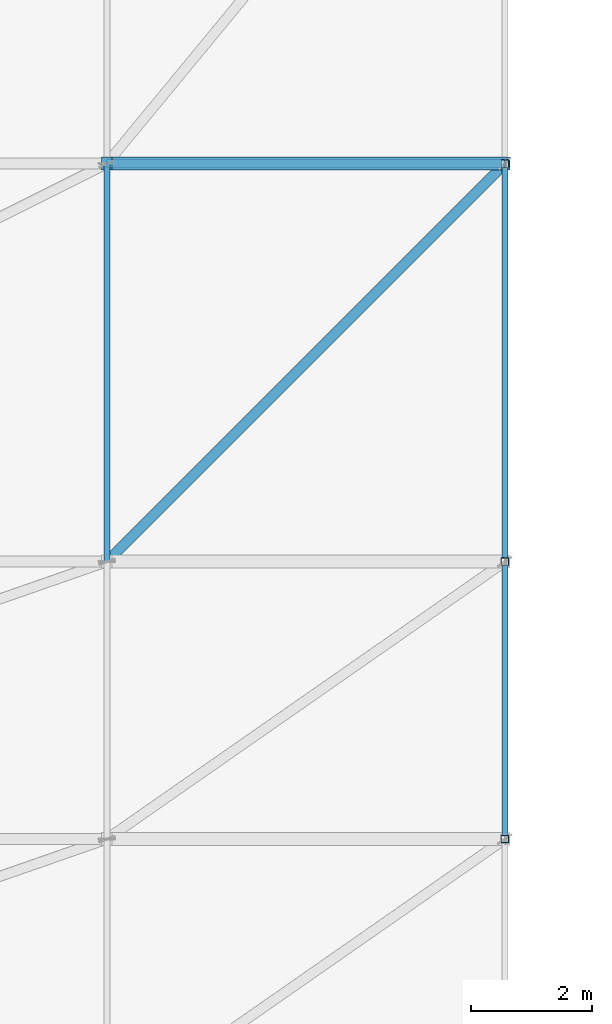
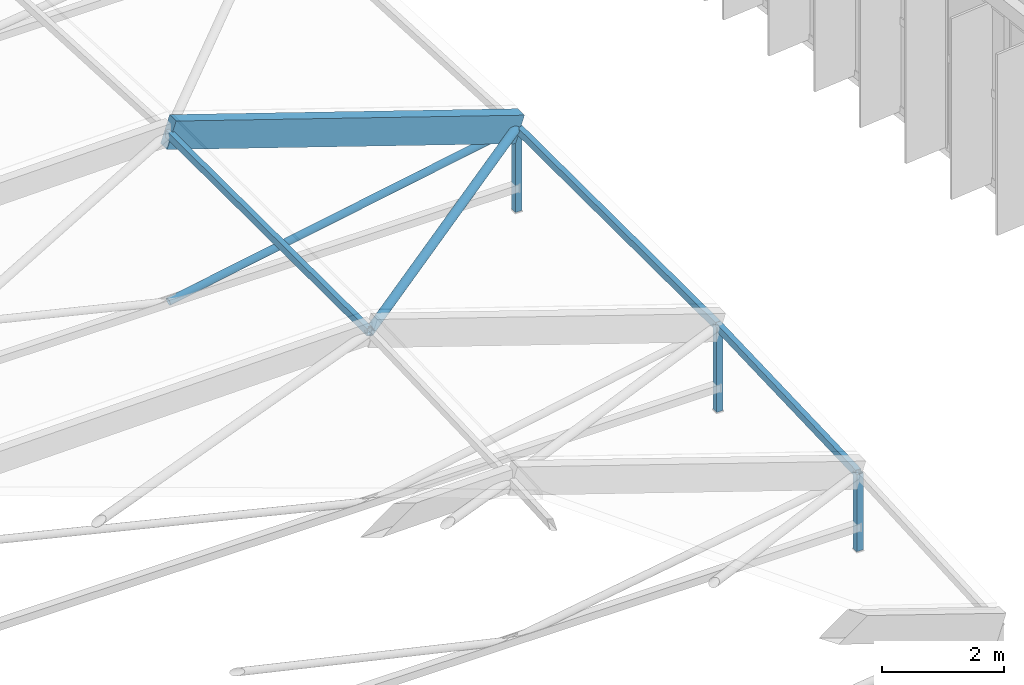
# One storey, part 34 of 134: 9 members.
"""IFC4 building model written with IfcOpenShell, lengths in metres."""

from ifc_helpers import new_model, si_unit, direction, frame, origin, origin_2d, place, context, subcontext, project, spatial, rectangle, hollow_rectangle, hollow_circle, extrude, material, material_profile, profile_set, type_object, element, save


model = new_model("IFC4")

# Units and contexts
model_context = context("Model", 3, precision=1e-05, world=origin(), true_north=direction((0.0, 1.0)))
body_context = subcontext(model_context, "Body", "Model", "MODEL_VIEW")
ifc_project = project(units=[si_unit("LENGTHUNIT", "METRE"), si_unit("AREAUNIT", "SQUARE_METRE"), si_unit("VOLUMEUNIT", "CUBIC_METRE"), si_unit("PLANEANGLEUNIT", "RADIAN"), si_unit("MASSUNIT", "GRAM", prefix="KILO")], contexts=[model_context])

# Site, building, storey
site_placement = place(None, origin())
site = spatial("IfcSite", under=ifc_project, at=site_placement, CompositionType="ELEMENT")
building_placement = place(site_placement, origin())
building = spatial("IfcBuilding", under=site, at=building_placement, Name="Karori Crest Natural Sciences Institute", CompositionType="ELEMENT")
storey_placement = place(building_placement, frame((0.0, 0.0, 21.699951171875)))
storey = spatial("IfcBuildingStorey", under=building, at=storey_placement, Name="L05", CompositionType="ELEMENT", Elevation=21.699951171875)

# Members
ifc_material_1 = material(Name="Hollow structural steel AS/NZS 1163 Grade C350", Category="steel")
ifc_material_profile_1 = material_profile(ifc_material_1, hollow_circle(Radius=0.084228515625, WallThickness=0.007080078125, at=origin_2d()), Name="CHS168.3x7.1")
ifc_profile_set_1 = profile_set([ifc_material_profile_1], Name="Hollow structural steel AS/NZS 1163 Grade C350")
member_type_1 = type_object("IfcMemberType", Name="MT-03", PredefinedType="BRACE", material=ifc_profile_set_1)
member_1_placement = place(storey_placement, frame((20.60009765625, 40.39990234375, 3.524169921875), z_axis=(0.687863741348, 0.687889186683, -0.231628884604), x_axis=(-0.707119859409, 0.707093702722, 0.0)))
element("IfcMember", 1, at=member_1_placement, inside=storey, type_object=member_type_1, Name="Diagonal Brace M-0398", PredefinedType="BRACE", context=body_context, shape_type="SweptSolid", body=[
    extrude(hollow_circle(Radius=0.084228515625, WallThickness=0.007080078125, at=origin_2d()), origin(), (0.0, 0.0, 1.0), 9.5947265625),
])
ifc_material_profile_2 = material_profile(ifc_material_1, hollow_rectangle(XDim=0.10009765625, YDim=0.14990234375, WallThickness=0.006103515625, at=origin_2d()), Name="RHS150x100x6")
ifc_profile_set_2 = profile_set([ifc_material_profile_2], Name="Hollow structural steel AS/NZS 1163 Grade C350")
member_type_2 = type_object("IfcMemberType", Name="MT-11", PredefinedType="PURLIN", material=ifc_profile_set_2)
member_2_placement = place(storey_placement, frame((27.199951171875, 35.800048828125, 1.166748046875), z_axis=(0.0, 0.999356962296, 0.03585612794), x_axis=(-1.0, 0.0, 0.0)))
element("IfcMember", 2, at=member_2_placement, inside=storey, type_object=member_type_2, Name="Member M-0381", PredefinedType="PURLIN", context=body_context, shape_type="SweptSolid", body=[
    extrude(hollow_rectangle(XDim=0.10009765625, YDim=0.14990234375, WallThickness=0.006103515625, at=origin_2d()), origin(), (0.0, 0.0, 1.0), 4.602783203125),
])
for number, where, z_axis, x_axis, name in (
    (3, (20.60009765625, 40.39990234375, 3.524169921875), (0.0, 0.999989649702, -0.004549779053), (-1.0, 0.0, 0.0), "Member M-0396"),
    (4, (27.199951171875, 40.39990234375, 1.331787109375), (0.0, 0.999989649702, -0.004549779053), (-1.0, 0.0, 0.0), "Member M-0397"),
):
    element("IfcMember", number, at=place(storey_placement, frame(where, z_axis=z_axis, x_axis=x_axis)), inside=storey, type_object=member_type_2, Name=name, PredefinedType="PURLIN", context=body_context, shape_type="SweptSolid", body=[
        extrude(hollow_rectangle(XDim=0.10009765625, YDim=0.14990234375, WallThickness=0.006103515625, at=origin_2d()), origin(), (0.0, 0.0, 1.0), 6.60009765625),
    ])
ifc_material_2 = material(Name="Glulam GL12", Category="wood")
ifc_material_profile_3 = material_profile(ifc_material_2, rectangle(XDim=0.215087890625, YDim=0.5400390625, at=origin_2d()), Name="GL215x540")
ifc_profile_set_3 = profile_set([ifc_material_profile_3], Name="Glulam GL12")
member_type_3 = type_object("IfcMemberType", Name="MT-16", PredefinedType="USERDEFINED", material=ifc_profile_set_3)
member_3_placement = place(storey_placement, frame((20.60009765625, 47.0, 3.51416015625), z_axis=(0.949009274386, 0.0, -0.315248151666), x_axis=(0.0, 1.0, 0.0)))
element("IfcMember", 5, at=member_3_placement, inside=storey, type_object=member_type_3, Name="Member M-0410", ObjectType="ARCH_SEGMENT", PredefinedType="USERDEFINED", context=body_context, shape_type="SweptSolid", body=[
    extrude(rectangle(XDim=0.215087890625, YDim=0.5400390625, at=origin_2d()), origin(), (0.0, 0.0, 1.0), 6.954345703125),
])
ifc_material_profile_4 = material_profile(ifc_material_1, hollow_circle(Radius=0.06982421875, WallThickness=0.00634765625, at=origin_2d()), Name="CHS139.7x6.4")
ifc_profile_set_4 = profile_set([ifc_material_profile_4], Name="Hollow structural steel AS/NZS 1163 Grade C350")
member_type_4 = type_object("IfcMemberType", Name="MT-18-IL", PredefinedType="STRUT", material=ifc_profile_set_4)
member_4_placement = place(storey_placement, frame((20.60009765625, 47.0, 0.1201171875), z_axis=(0.98382562549, 0.0, 0.179128832489), x_axis=(0.0, 1.0, 0.0)))
element("IfcMember", 6, at=member_4_placement, inside=storey, type_object=member_type_4, Name="Member M-0411", PredefinedType="STRUT", context=body_context, shape_type="SweptSolid", body=[
    extrude(hollow_circle(Radius=0.06982421875, WallThickness=0.00634765625, at=origin_2d()), origin(), (0.0, 0.0, 1.0), 6.708251953125),
])
ifc_material_profile_5 = material_profile(ifc_material_1, hollow_rectangle(XDim=0.125, YDim=0.125, WallThickness=0.006103515625, at=origin_2d()), Name="SHS125x125x6")
ifc_profile_set_5 = profile_set([ifc_material_profile_5], Name="Hollow structural steel AS/NZS 1163 Grade C350")
member_type_5 = type_object("IfcMemberType", Name="MT-20", PredefinedType="STRUT", material=ifc_profile_set_5)
member_5_placement = place(storey_placement, frame((27.199951171875, 35.800048828125, -0.349853515625), z_axis=(0.0, 0.0, 1.0), x_axis=(1.0, 0.0, 0.0)))
element("IfcMember", 7, at=member_5_placement, inside=storey, type_object=member_type_5, Name="Member M-0368", PredefinedType="STRUT", context=body_context, shape_type="SweptSolid", body=[
    extrude(hollow_rectangle(XDim=0.125, YDim=0.125, WallThickness=0.006103515625, at=origin_2d()), origin(), (0.0, 0.0, 1.0), 1.53662109375),
])
member_6_placement = place(storey_placement, frame((27.199951171875, 40.39990234375, -0.349853515625), z_axis=(0.0, 0.0, 1.0), x_axis=(1.0, 0.0, 0.0)))
element("IfcMember", 8, at=member_6_placement, inside=storey, type_object=member_type_5, Name="Member M-0384", PredefinedType="STRUT", context=body_context, shape_type="SweptSolid", body=[
    extrude(hollow_rectangle(XDim=0.125, YDim=0.125, WallThickness=0.006103515625, at=origin_2d()), origin(), (0.0, 0.0, 1.0), 1.70166015625),
])
member_7_placement = place(storey_placement, frame((27.199951171875, 47.0, -0.349853515625), z_axis=(0.0, 0.0, 1.0), x_axis=(1.0, 0.0, 0.0)))
element("IfcMember", 9, at=member_7_placement, inside=storey, type_object=member_type_5, Name="Member M-0400", PredefinedType="STRUT", context=body_context, shape_type="SweptSolid", body=[
    extrude(hollow_rectangle(XDim=0.125, YDim=0.125, WallThickness=0.006103515625, at=origin_2d()), origin(), (0.0, 0.0, 1.0), 1.671630859375),
])

save(model, "model.ifc")
